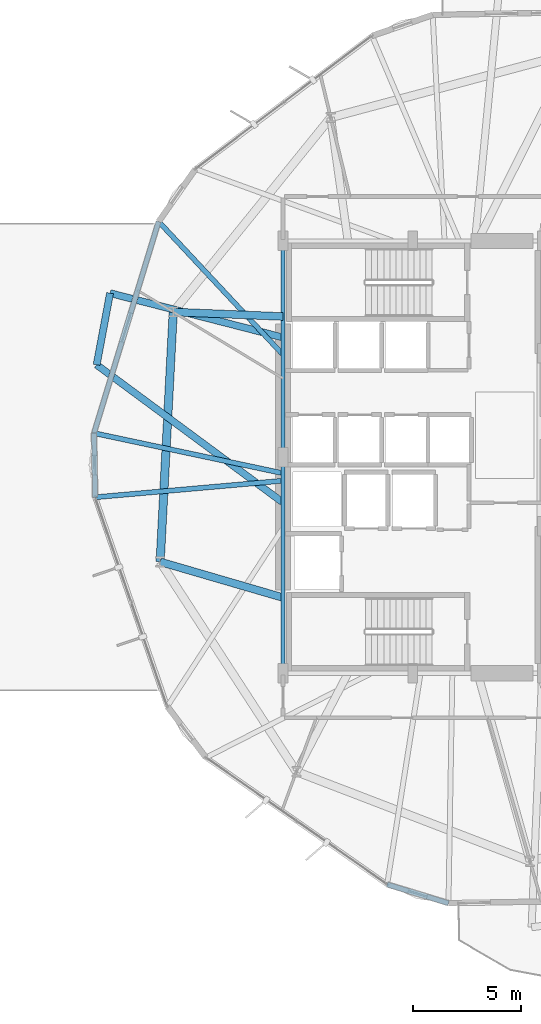
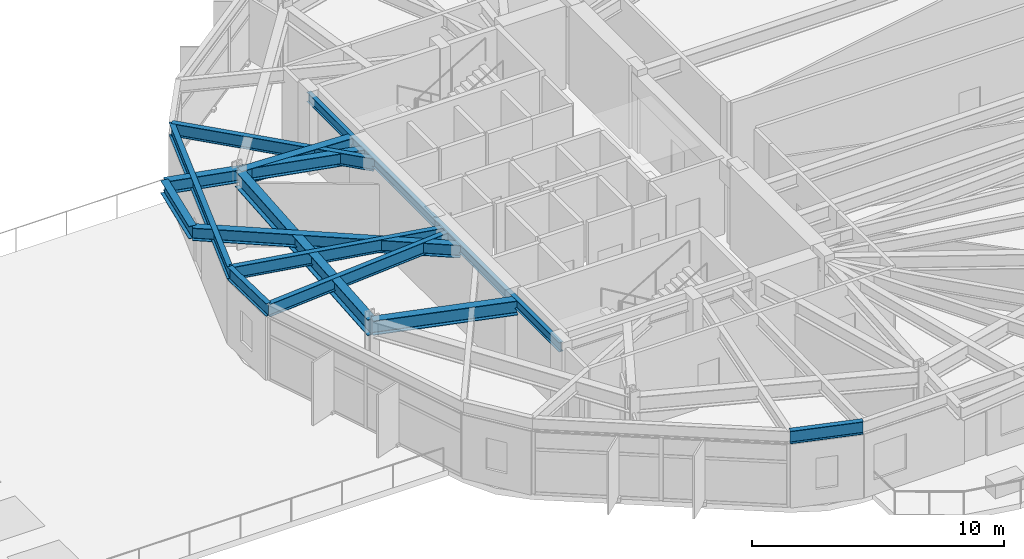
# One storey, part 3 of 23: 14 beams.
"""IFC4 building model written with IfcOpenShell, lengths in metres."""

from ifc_helpers import new_model, si_unit, direction, frame, origin, origin_2d, place, context, subcontext, project, spatial, i_section, extrude, material, material_profile, profile_set, type_object, element, save


model = new_model("IFC4")

# Units and contexts
model_context = context("Model", 3, precision=1e-05, world=origin(), true_north=direction((0.0, 1.0)))
body_context = subcontext(model_context, "Body", "Model", "MODEL_VIEW")
ifc_project = project(units=[si_unit("LENGTHUNIT", "METRE"), si_unit("AREAUNIT", "SQUARE_METRE"), si_unit("VOLUMEUNIT", "CUBIC_METRE"), si_unit("PLANEANGLEUNIT", "RADIAN"), si_unit("MASSUNIT", "GRAM", prefix="KILO")], contexts=[model_context])

# Site, building, storey
site_placement = place(None, origin())
site = spatial("IfcSite", under=ifc_project, at=site_placement, CompositionType="ELEMENT")
building_placement = place(site_placement, origin())
building = spatial("IfcBuilding", under=site, at=building_placement, Name="Soratama Intermodal Tower", CompositionType="ELEMENT")
storey_placement = place(building_placement, frame((0.0, 0.0, 30.60009765625)))
storey = spatial("IfcBuildingStorey", under=building, at=storey_placement, Name="L06", CompositionType="ELEMENT", Elevation=30.60009765625)

# Beams
ifc_material_1 = material(Name="Structural steel ASTM A992 Grade 50", Category="steel")
ifc_material_profile_1 = material_profile(ifc_material_1, i_section(OverallWidth=0.324951171875, OverallDepth=0.615966796875, WebThickness=0.013916015625, FlangeThickness=0.021484375, FilletRadius=0.013916015625, at=origin_2d()), Name="W24X117")
ifc_profile_set_1 = profile_set([ifc_material_profile_1], Name="Structural steel ASTM A992 Grade 50")
beam_type_1 = type_object("IfcBeamType", Name="BM-CANT-W24X117", PredefinedType="BEAM", material=ifc_profile_set_1)
beam_1_placement = place(storey_placement, frame((24.60107421875, 32.580078125, 3.391845703125), z_axis=(-0.1839300082, -0.982939343034, 0.0), x_axis=(0.982939343034, -0.1839300082, 0.0)))
element("IfcBeam", 1, at=beam_1_placement, inside=storey, type_object=beam_type_1, Name="BM-L06-CBHDR-3", PredefinedType="BEAM", context=body_context, shape_type="SweptSolid", body=[
    extrude(i_section(OverallWidth=0.324951171875, OverallDepth=0.615966796875, WebThickness=0.013916015625, FlangeThickness=0.021484375, FilletRadius=0.013916015625, at=origin_2d()), origin(), (0.0, 0.0, 1.0), 3.37158203125),
])
beam_2_placement = place(storey_placement, frame((32.56103515625, 30.5380859375, 3.391845703125), z_axis=(-0.968635268519, 0.248486853941, 0.0), x_axis=(-0.248486853941, -0.968635268519, 0.0)))
element("IfcBeam", 2, at=beam_2_placement, inside=storey, type_object=beam_type_1, Name="BM-L06-CANT-3-1", PredefinedType="BEAM", context=body_context, shape_type="SweptSolid", body=[
    extrude(i_section(OverallWidth=0.324951171875, OverallDepth=0.615966796875, WebThickness=0.013916015625, FlangeThickness=0.021484375, FilletRadius=0.013916015625, at=origin_2d()), origin(), (0.0, 0.0, 1.0), 8.2177734375),
])
beam_3_placement = place(storey_placement, frame((32.568115234375, 22.91796875, 3.391845703125), z_axis=(-0.804126250214, 0.594458555087, 0.0), x_axis=(-0.594458555087, -0.804126250214, 0.0)))
element("IfcBeam", 3, at=beam_3_placement, inside=storey, type_object=beam_type_1, Name="BM-L06-CANT-3-2", PredefinedType="BEAM", context=body_context, shape_type="SweptSolid", body=[
    extrude(i_section(OverallWidth=0.324951171875, OverallDepth=0.615966796875, WebThickness=0.013916015625, FlangeThickness=0.021484375, FilletRadius=0.013916015625, at=origin_2d()), origin(), (0.0, 0.0, 1.0), 10.678955078125),
])
ifc_material_2 = material(Name="Structural steel ASTM A992 Grade 50", Category="steel")
ifc_material_profile_2 = material_profile(ifc_material_2, i_section(OverallWidth=0.19091796875, OverallDepth=0.4599609375, WebThickness=0.010009765625, FlangeThickness=0.01611328125, FilletRadius=0.010986328125, at=origin_2d()), Name="W18X55")
ifc_profile_set_2 = profile_set([ifc_material_profile_2], Name="Structural steel ASTM A992 Grade 50")
beam_type_2 = type_object("IfcBeamType", Name="BM-FLR-W18X55", PredefinedType="BEAM", material=ifc_profile_set_2)
for number, where, z_axis, x_axis, name in (
    (4, (32.60009765625, 35.0, 3.469970703125), (0.0, -1.0, 0.0), (1.0, 0.0, 0.0), "BM-L06-CRING-08"),
    (5, (32.60009765625, 25.0, 3.469970703125), (0.0, -1.0, 0.0), (1.0, 0.0, 0.0), "BM-L06-CRING-09"),
):
    element("IfcBeam", number, at=place(storey_placement, frame(where, z_axis=z_axis, x_axis=x_axis)), inside=storey, type_object=beam_type_2, Name=name, PredefinedType="BEAM", context=body_context, shape_type="SweptSolid", body=[
        extrude(i_section(OverallWidth=0.19091796875, OverallDepth=0.4599609375, WebThickness=0.010009765625, FlangeThickness=0.01611328125, FilletRadius=0.010986328125, at=origin_2d()), origin(), (0.0, 0.0, 1.0), 10.0),
    ])
ifc_material_3 = material(Name="Structural steel ASTM A992 Grade 50", Category="steel")
ifc_material_profile_3 = material_profile(ifc_material_3, i_section(OverallWidth=0.35498046875, OverallDepth=0.695068359375, WebThickness=0.015380859375, FlangeThickness=0.02490234375, FilletRadius=0.01611328125, at=origin_2d()), Name="W27X146")
ifc_profile_set_3 = profile_set([ifc_material_profile_3], Name="Structural steel ASTM A992 Grade 50")
beam_type_3 = type_object("IfcBeamType", Name="BM-RING-W27X146", PredefinedType="BEAM", material=ifc_profile_set_3)
beam_4_placement = place(storey_placement, frame((32.60009765625, 31.5, 3.352294921875), z_axis=(-0.999153929645, 0.041126936131, 0.0), x_axis=(-0.041126936131, -0.999153929645, 0.0)))
element("IfcBeam", 6, at=beam_4_placement, inside=storey, type_object=beam_type_3, Name="BM-L06-RAD-05", PredefinedType="BEAM", context=body_context, shape_type="SweptSolid", body=[
    extrude(i_section(OverallWidth=0.35498046875, OverallDepth=0.695068359375, WebThickness=0.015380859375, FlangeThickness=0.02490234375, FilletRadius=0.01611328125, at=origin_2d()), origin(), (0.0, 0.0, 1.0), 5.08154296875),
])
beam_5_placement = place(storey_placement, frame((32.60009765625, 18.5, 3.352294921875), z_axis=(-0.960102504931, 0.279648314898, 0.0), x_axis=(-0.279648314898, -0.960102504931, 0.0)))
element("IfcBeam", 7, at=beam_5_placement, inside=storey, type_object=beam_type_3, Name="BM-L06-RAD-06", PredefinedType="BEAM", context=body_context, shape_type="SweptSolid", body=[
    extrude(i_section(OverallWidth=0.35498046875, OverallDepth=0.695068359375, WebThickness=0.015380859375, FlangeThickness=0.02490234375, FilletRadius=0.01611328125, at=origin_2d()), origin(), (0.0, 0.0, 1.0), 5.918212890625),
])
ifc_material_4 = material(Name="Structural steel ASTM A992 Grade 50", Category="steel")
ifc_material_profile_4 = material_profile(ifc_material_4, i_section(OverallWidth=0.382080078125, OverallDepth=0.779052734375, WebThickness=0.01806640625, FlangeThickness=0.030029296875, FilletRadius=0.01806640625, at=origin_2d()), Name="W30X191")
ifc_profile_set_4 = profile_set([ifc_material_profile_4], Name="Structural steel ASTM A992 Grade 50")
beam_type_4 = type_object("IfcBeamType", Name="BM-RING-W30X191", PredefinedType="BEAM", material=ifc_profile_set_4)
beam_6_placement = place(storey_placement, frame((27.52294921875, 31.708984375, 3.310302734375), z_axis=(-0.052289698717, -0.998631957935, 0.0), x_axis=(0.998631957935, -0.052289698717, 0.0)))
element("IfcBeam", 8, at=beam_6_placement, inside=storey, type_object=beam_type_4, Name="BM-L06-RING-05", PredefinedType="BEAM", context=body_context, shape_type="SweptSolid", body=[
    extrude(i_section(OverallWidth=0.382080078125, OverallDepth=0.779052734375, WebThickness=0.01806640625, FlangeThickness=0.030029296875, FilletRadius=0.01806640625, at=origin_2d()), origin(), (0.0, 0.0, 1.0), 11.56982421875),
])
ifc_material_5 = material(Name="Structural steel ASTM A992 Grade 50", Category="steel")
ifc_material_profile_5 = material_profile(ifc_material_5, i_section(OverallWidth=0.22900390625, OverallDepth=0.612060546875, WebThickness=0.011962890625, FlangeThickness=0.01953125, FilletRadius=0.012939453125, at=origin_2d()), Name="W24X84")
ifc_profile_set_5 = profile_set([ifc_material_profile_5], Name="Structural steel ASTM A992 Grade 50")
beam_type_5 = type_object("IfcBeamType", Name="BM-SPN-W24X84", PredefinedType="SPANDREL", material=ifc_profile_set_5)
beam_7_placement = place(storey_placement, frame((26.845947265625, 35.89111328125, 3.393798828125), z_axis=(-0.291990553295, -0.956421202602, 0.0), x_axis=(0.956421202602, -0.291990553295, 0.0)))
element("IfcBeam", 9, at=beam_7_placement, inside=storey, type_object=beam_type_5, Name="BS-L06-F05", PredefinedType="SPANDREL", context=body_context, shape_type="SweptSolid", body=[
    extrude(i_section(OverallWidth=0.22900390625, OverallDepth=0.612060546875, WebThickness=0.011962890625, FlangeThickness=0.01953125, FilletRadius=0.012939453125, at=origin_2d()), origin(), (0.0, 0.0, 1.0), 10.22998046875),
])
beam_8_placement = place(storey_placement, frame((23.85888671875, 26.10693359375, 3.393798828125), z_axis=(0.017942451978, -0.999839021251, 0.0), x_axis=(0.999839021251, 0.017942451978, 0.0)))
element("IfcBeam", 10, at=beam_8_placement, inside=storey, type_object=beam_type_5, Name="BS-L06-CRN05", PredefinedType="SPANDREL", context=body_context, shape_type="SweptSolid", body=[
    extrude(i_section(OverallWidth=0.22900390625, OverallDepth=0.612060546875, WebThickness=0.011962890625, FlangeThickness=0.01953125, FilletRadius=0.012939453125, at=origin_2d()), origin(), (0.0, 0.0, 1.0), 2.96630859375),
])
beam_9_placement = place(storey_placement, frame((37.4140625, 5.236083984375, 3.393798828125), z_axis=(0.956318343119, -0.292327259446, 0.0), x_axis=(0.292327259446, 0.956318343119, 0.0)))
element("IfcBeam", 11, at=beam_9_placement, inside=storey, type_object=beam_type_5, Name="BS-L06-CRN07", PredefinedType="SPANDREL", context=body_context, shape_type="SweptSolid", body=[
    extrude(i_section(OverallWidth=0.22900390625, OverallDepth=0.612060546875, WebThickness=0.011962890625, FlangeThickness=0.01953125, FilletRadius=0.012939453125, at=origin_2d()), origin(), (0.0, 0.0, 1.0), 2.966552734375),
])
ifc_material_6 = material(Name="Structural steel ASTM A992 Grade 50", Category="steel")
ifc_material_profile_6 = material_profile(ifc_material_6, i_section(OverallWidth=0.22900390625, OverallDepth=0.612060546875, WebThickness=0.011962890625, FlangeThickness=0.01953125, FilletRadius=0.012939453125, at=origin_2d()), Name="W24X84")
ifc_profile_set_6 = profile_set([ifc_material_profile_6], Name="Structural steel ASTM A992 Grade 50")
beam_type_6 = type_object("IfcBeamType", Name="BM-TIE-W24X84", PredefinedType="BEAM", material=ifc_profile_set_6)
beam_10_placement = place(storey_placement, frame((32.572998046875, 29.759033203125, 3.393798828125), z_axis=(-0.682558730662, 0.73083074593, 0.0), x_axis=(-0.73083074593, -0.682558730662, 0.0)))
element("IfcBeam", 12, at=beam_10_placement, inside=storey, type_object=beam_type_6, Name="BM-L06-TIE0-05", PredefinedType="BEAM", context=body_context, shape_type="SweptSolid", body=[
    extrude(i_section(OverallWidth=0.22900390625, OverallDepth=0.612060546875, WebThickness=0.011962890625, FlangeThickness=0.01953125, FilletRadius=0.012939453125, at=origin_2d()), origin(), (0.0, 0.0, 1.0), 8.390625),
])
beam_11_placement = place(storey_placement, frame((32.56103515625, 24.258056640625, 3.393798828125), z_axis=(-0.978166382752, 0.207823308736, 0.0), x_axis=(-0.207823308736, -0.978166382752, 0.0)))
element("IfcBeam", 13, at=beam_11_placement, inside=storey, type_object=beam_type_6, Name="BM-L06-TIE1-05", PredefinedType="BEAM", context=body_context, shape_type="SweptSolid", body=[
    extrude(i_section(OverallWidth=0.22900390625, OverallDepth=0.612060546875, WebThickness=0.011962890625, FlangeThickness=0.01953125, FilletRadius=0.012939453125, at=origin_2d()), origin(), (0.0, 0.0, 1.0), 8.896484375),
])
beam_12_placement = place(storey_placement, frame((32.56005859375, 23.903076171875, 3.393798828125), z_axis=(-0.99614084966, -0.087769058545, 0.0), x_axis=(0.087769058545, -0.99614084966, 0.0)))
element("IfcBeam", 14, at=beam_12_placement, inside=storey, type_object=beam_type_6, Name="BM-L06-TIE0-06", PredefinedType="BEAM", context=body_context, shape_type="SweptSolid", body=[
    extrude(i_section(OverallWidth=0.22900390625, OverallDepth=0.612060546875, WebThickness=0.011962890625, FlangeThickness=0.01953125, FilletRadius=0.012939453125, at=origin_2d()), origin(), (0.0, 0.0, 1.0), 8.681396484375),
])

save(model, "model.ifc")
